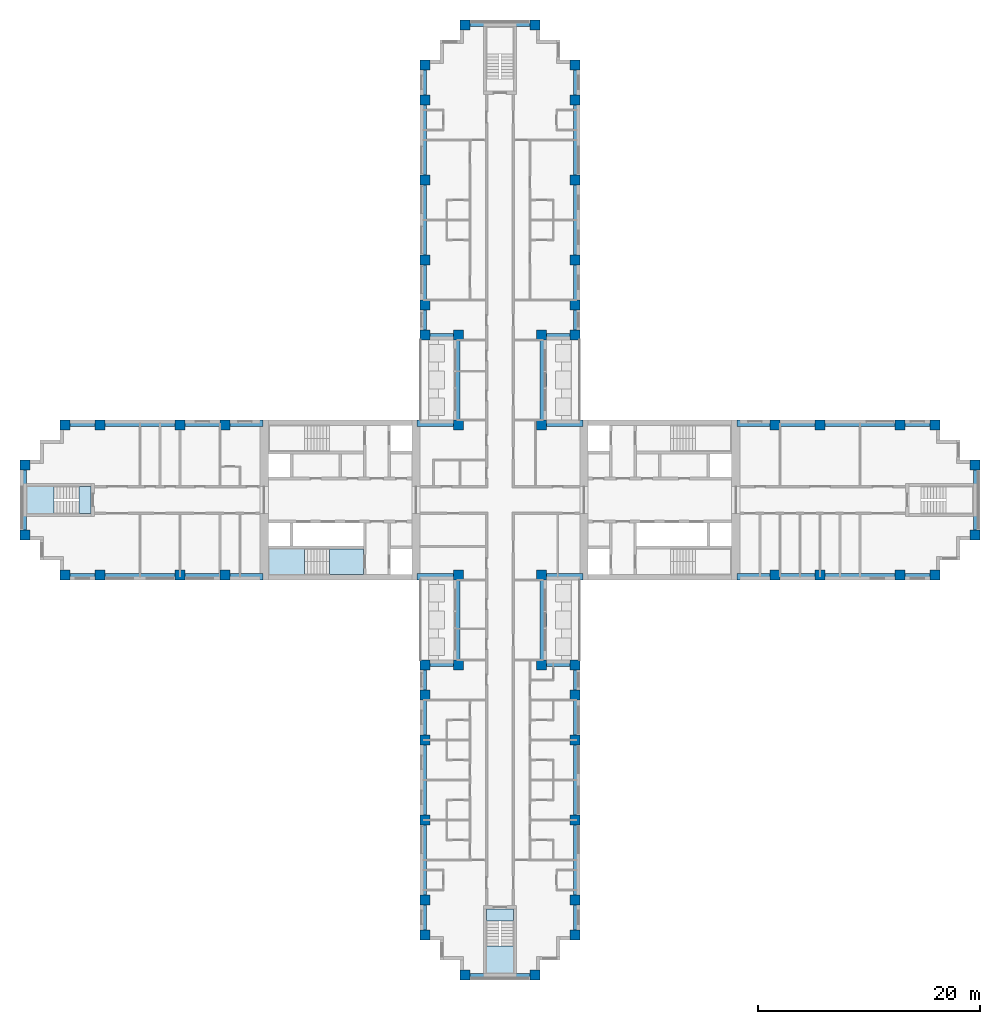
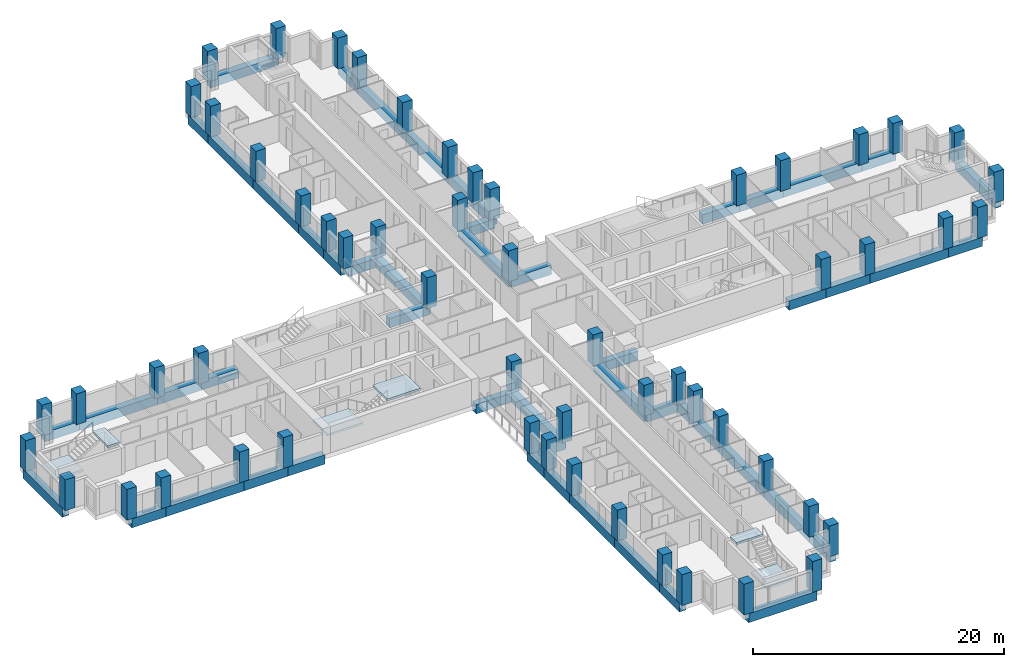
# One storey, part 1 of 16: 56 columns, 52 beams, 6 slabs, 3 elements without a shape of their own.
"""IFC4 building model written with IfcOpenShell, lengths in metres."""

import ifcopenshell
import ifcopenshell.guid

model = None  # the IFC model being written
_history = None  # IfcOwnerHistory: only IFC2X3 demands one
_inside = {}  # id of a spatial element -> (the spatial element, [elements in it])
_under = {}  # id of a project, library or spatial element -> (it, [spatial elements below it])
_declared = {}  # id of a project -> (the project, [libraries it declares])
_typed = {}  # id of a type object -> (the type object, [elements of that type])
_made_of = {}  # id of a material, layer set ... -> (it, [elements and type objects made of it])


def new_model(schema):
    """Start an empty IFC model of exactly this schema.

    Asked for "IFC4X3", IfcOpenShell would pick the latest addendum, in which some entities
    have other attributes; the version numbers below select the first issue.
    IFC2X3 requires an IfcOwnerHistory on every rooted entity: one is made here for all.
    """
    global model, _history
    if schema == "IFC4X3":
        model = ifcopenshell.file(schema_version=(4, 3, 0, 0))
    else:
        model = ifcopenshell.file(schema=schema)
    _inside.clear()
    _under.clear()
    _declared.clear()
    _typed.clear()
    _made_of.clear()
    _history = None
    if model.schema == "IFC2X3":
        org = make("IfcOrganization", Name="unknown")
        user = make(
            "IfcPersonAndOrganization",
            ThePerson=make("IfcPerson", FamilyName="unknown"),
            TheOrganization=org,
        )
        app = make(
            "IfcApplication",
            ApplicationDeveloper=org,
            Version="unknown",
            ApplicationFullName="unknown",
            ApplicationIdentifier="unknown",
        )
        _history = make(
            "IfcOwnerHistory",
            OwningUser=user,
            OwningApplication=app,
            ChangeAction="ADDED",
            CreationDate=0,
        )
    return model


def make(cls, **values):
    """One entity of the class cls with the attributes given. An attribute that is None is left unset."""
    return model.create_entity(
        cls, **{name: value for name, value in values.items() if value is not None}
    )


def rooted(cls, **values):
    """An entity with a GlobalId (a new one), such as an element, a storey or a relation."""
    return make(cls, GlobalId=ifcopenshell.guid.new(), OwnerHistory=_history, **values)


def si_unit(unit_type, name, prefix=None):
    """IfcSIUnit, for example si_unit("LENGTHUNIT", "METRE", prefix="MILLI")."""
    return make("IfcSIUnit", UnitType=unit_type, Prefix=prefix, Name=name)


def assignment(units):
    """IfcUnitAssignment: the units of a project."""
    return None if units is None else make("IfcUnitAssignment", Units=units)


def point(xyz):
    """IfcCartesianPoint."""
    return None if xyz is None else make("IfcCartesianPoint", Coordinates=xyz)


def direction(xyz):
    """IfcDirection."""
    return None if xyz is None else make("IfcDirection", DirectionRatios=xyz)


def frame(location, z_axis=None, x_axis=None):
    """IfcAxis2Placement3D, a coordinate frame: its origin and axes. An axis left out is left unset."""
    return make(
        "IfcAxis2Placement3D",
        Location=point(location),
        Axis=direction(z_axis),
        RefDirection=direction(x_axis),
    )


def frame_2d(location, x_axis=None):
    """IfcAxis2Placement2D, a coordinate frame in the plane: its origin and x axis."""
    return make(
        "IfcAxis2Placement2D", Location=point(location), RefDirection=direction(x_axis)
    )


def origin():
    """The frame at (0, 0, 0) with its axes left unset."""
    return frame((0.0, 0.0, 0.0))


def origin_2d():
    """The frame at (0, 0) in the plane with its x axis left unset."""
    return frame_2d((0.0, 0.0))


def place(relative_to, where):
    """IfcLocalPlacement: puts the frame where relative to a parent placement (None: the world)."""
    return make(
        "IfcLocalPlacement", PlacementRelTo=relative_to, RelativePlacement=where
    )


def context(
    kind, dimensions, precision=None, world=None, true_north=None, identifier=None
):
    """IfcGeometricRepresentationContext, for example the 3D "Model" context."""
    return make(
        "IfcGeometricRepresentationContext",
        ContextIdentifier=identifier,
        ContextType=kind,
        CoordinateSpaceDimension=dimensions,
        Precision=precision,
        WorldCoordinateSystem=world,
        TrueNorth=true_north,
    )


def subcontext(parent, identifier, kind, view, scale=None):
    """IfcGeometricRepresentationSubContext, for example "Body" below "Model"."""
    return make(
        "IfcGeometricRepresentationSubContext",
        ContextIdentifier=identifier,
        ContextType=kind,
        ParentContext=parent,
        TargetScale=scale,
        TargetView=view,
    )


def project(units=None, contexts=None):
    """IfcProject with its units and contexts."""
    return rooted(
        "IfcProject",
        Name="project",
        RepresentationContexts=contexts,
        UnitsInContext=assignment(units),
    )


def spatial(cls, under=None, at=None, **own):
    """A site, building, storey or space (cls), placed at a placement, below another one or the project."""
    s = rooted(cls, ObjectPlacement=at, **own)
    if under is not None:
        _under.setdefault(under.id(), (under, []))[1].append(s)
    return s


def polyline(points):
    """IfcPolyline through the points."""
    return make("IfcPolyline", Points=[point(p) for p in points])


def profile(cls, at=None, kind="AREA", **sizes):
    """A parametric profile (cls). Its sizes go by their IFC names, for example OverallWidth=200.0."""
    return make(cls, ProfileType=kind, Position=at, **sizes)


def rectangle(**sizes):
    """IfcRectangleProfileDef."""
    return profile("IfcRectangleProfileDef", **sizes)


def outline(outer, holes=None, kind="AREA"):
    """IfcArbitraryClosedProfileDef: a profile drawn as a closed curve; with holes, ...WithVoids."""
    if holes is None:
        return make("IfcArbitraryClosedProfileDef", ProfileType=kind, OuterCurve=outer)
    return make(
        "IfcArbitraryProfileDefWithVoids",
        ProfileType=kind,
        OuterCurve=outer,
        InnerCurves=holes,
    )


def extrude(swept, where, along, depth):
    """IfcExtrudedAreaSolid: the profile swept, set in the frame where, extruded along a direction by depth."""
    return make(
        "IfcExtrudedAreaSolid",
        SweptArea=swept,
        Position=where,
        ExtrudedDirection=direction(along),
        Depth=depth,
    )


def shape(context_of_items, identifier, shape_type, items):
    """IfcShapeRepresentation: the items that make up one representation, for example the "Body"."""
    return make(
        "IfcShapeRepresentation",
        ContextOfItems=context_of_items,
        RepresentationIdentifier=identifier,
        RepresentationType=shape_type,
        Items=items,
    )


def material(Name=None, Category=None):
    """IfcMaterial."""
    return make("IfcMaterial", Name=Name, Category=Category)


def layer(
    of_material, thickness, ventilated=None, Name=None, Category=None, Priority=None
):
    """IfcMaterialLayer: one layer of a wall or slab, of a material (None: an air gap)."""
    return make(
        "IfcMaterialLayer",
        Material=of_material,
        LayerThickness=thickness,
        IsVentilated=ventilated,
        Name=Name,
        Category=Category,
        Priority=Priority,
    )


def layer_set(layers, Name=None):
    """IfcMaterialLayerSet."""
    return make("IfcMaterialLayerSet", MaterialLayers=layers, LayerSetName=Name)


def material_profile(
    of_material, cross_section, Name=None, Category=None, Priority=None
):
    """IfcMaterialProfile: a cross section and its material."""
    return make(
        "IfcMaterialProfile",
        Name=Name,
        Material=of_material,
        Profile=cross_section,
        Priority=Priority,
        Category=Category,
    )


def profile_set(profiles, Name=None, composite=None):
    """IfcMaterialProfileSet."""
    return make(
        "IfcMaterialProfileSet",
        Name=Name,
        MaterialProfiles=profiles,
        CompositeProfile=composite,
    )


def made_of(thing, what):
    """Note that an element or type object is made of a material, layer set ...; save() writes the relation."""
    if what is not None:
        _made_of.setdefault(what.id(), (what, []))[1].append(thing)
    return thing


def type_object(cls, material=None, **own):
    """A type object (cls), such as IfcWallType, which elements share."""
    return made_of(rooted(cls, **own), material)


def element(
    cls,
    number,
    at=None,
    inside=None,
    cuts=None,
    type_object=None,
    material=None,
    context=None,
    identifier="Body",
    shape_type=None,
    held_by="IfcProductDefinitionShape",
    body=None,
    shapes=None,
    **own,
):
    """One element of the class cls, such as IfcWall. Its Tag is "e" and its number.

    at: its placement. inside: the storey or other place that contains it. cuts: it is an
    opening in that element (IfcRelVoidsElement). A single representation is given by context,
    identifier, shape_type and body (its items); several are given by shapes. held_by: the class
    of the entity that holds the representations. save() writes the other relations.
    """
    e = rooted(cls, Tag="e%d" % number, ObjectPlacement=at, **own)
    if body is not None:
        shapes = [shape(context, identifier, shape_type, body)]
    if shapes is not None:
        e.Representation = make(held_by, Representations=shapes)
    if inside is not None:
        _inside.setdefault(inside.id(), (inside, []))[1].append(e)
    if cuts is not None:
        rooted(
            "IfcRelVoidsElement", RelatingBuildingElement=cuts, RelatedOpeningElement=e
        )
    if type_object is not None:
        _typed.setdefault(type_object.id(), (type_object, []))[1].append(e)
    return made_of(e, material)


def aggregate(whole, parts):
    """IfcRelAggregates: a whole, such as a stair, and the parts it consists of."""
    return rooted("IfcRelAggregates", RelatingObject=whole, RelatedObjects=parts)


def save(model, path):
    """Write the relations noted so far, then the file.

    IfcRelAggregates (storeys below a building ...), IfcRelContainedInSpatialStructure (elements
    in a storey), IfcRelDefinesByType, IfcRelAssociatesMaterial and IfcRelDeclares: one each for
    every whole, place, type object, material and project.
    """
    for whole, parts in _under.values():
        aggregate(whole, parts)
    for where, things in _inside.values():
        rooted(
            "IfcRelContainedInSpatialStructure",
            RelatedElements=things,
            RelatingStructure=where,
        )
    for kind, things in _typed.values():
        rooted("IfcRelDefinesByType", RelatedObjects=things, RelatingType=kind)
    for what, things in _made_of.values():
        rooted("IfcRelAssociatesMaterial", RelatedObjects=things, RelatingMaterial=what)
    for by, libraries in _declared.values():
        rooted("IfcRelDeclares", RelatingContext=by, RelatedDefinitions=libraries)
    model.write(path)


model = new_model("IFC4")

# Units and contexts
model_context = context("Model", 3, precision=1e-05, world=origin(), true_north=direction((0.0, 1.0)))
body_context = subcontext(model_context, "Body", "Model", "MODEL_VIEW")
ifc_project = project(units=[si_unit("LENGTHUNIT", "METRE"), si_unit("AREAUNIT", "SQUARE_METRE"), si_unit("VOLUMEUNIT", "CUBIC_METRE"), si_unit("PLANEANGLEUNIT", "RADIAN"), si_unit("MASSUNIT", "GRAM", prefix="KILO")], contexts=[model_context])

# Site, building, storey
site_placement = place(None, origin())
site = spatial("IfcSite", under=ifc_project, at=site_placement, CompositionType="ELEMENT")
building_placement = place(site_placement, origin())
building = spatial("IfcBuilding", under=site, at=building_placement, Name="Fustian Cross Tower", CompositionType="ELEMENT")
storey_placement = place(building_placement, frame((0.0, 0.0, 26.699951171875)))
storey = spatial("IfcBuildingStorey", under=building, at=storey_placement, Name="L07", CompositionType="ELEMENT", Elevation=26.699951171875)

# Columns
ifc_material_1 = material(Name="Concrete C70/85", Category="concrete")
ifc_material_profile_1 = material_profile(ifc_material_1, rectangle(XDim=0.89990234375, YDim=0.89990234375, at=origin_2d()), Name="RC 900x900")
ifc_profile_set_1 = profile_set([ifc_material_profile_1], Name="Concrete C70/85")
column_type = type_object("IfcColumnType", Name="COLUMN RC 900x900 C70/85", PredefinedType="COLUMN", material=ifc_profile_set_1)
for number, where, z_axis, x_axis, name in (
    (1, (-42.75, -3.14990234375, 0.0), (0.0, 0.0, 1.0), (1.0, 0.0, 0.0), "COLUMN 001"),
    (2, (-42.75, 3.14990234375, 0.0), (0.0, 0.0, 1.0), (1.0, 0.0, 0.0), "COLUMN 002"),
    (3, (-39.14990234375, -6.75, 0.0), (0.0, 0.0, 1.0), (1.0, 0.0, 0.0), "COLUMN 003"),
    (4, (-39.14990234375, 6.75, 0.0), (0.0, 0.0, 1.0), (1.0, 0.0, 0.0), "COLUMN 004"),
    (5, (-36.0, -6.75, 0.0), (0.0, 0.0, 1.0), (1.0, 0.0, 0.0), "COLUMN 005"),
    (6, (-36.0, 6.75, 0.0), (0.0, 0.0, 1.0), (1.0, 0.0, 0.0), "COLUMN 006"),
    (7, (-28.800048828125, -6.75, 0.0), (0.0, 0.0, 1.0), (1.0, 0.0, 0.0), "COLUMN 007"),
    (8, (-28.800048828125, 6.75, 0.0), (0.0, 0.0, 1.0), (1.0, 0.0, 0.0), "COLUMN 010"),
    (9, (-24.75, -6.75, 0.0), (0.0, 0.0, 1.0), (1.0, 0.0, 0.0), "COLUMN 011"),
    (10, (-24.75, 6.75, 0.0), (0.0, 0.0, 1.0), (1.0, 0.0, 0.0), "COLUMN 012"),
    (11, (-6.75, -39.14990234375, 0.0), (0.0, 0.0, 1.0), (1.0, 0.0, 0.0), "COLUMN 013"),
    (12, (-6.75, -36.0, 0.0), (0.0, 0.0, 1.0), (1.0, 0.0, 0.0), "COLUMN 014"),
    (13, (-6.75, -28.800048828125, 0.0), (0.0, 0.0, 1.0), (1.0, 0.0, 0.0), "COLUMN 015"),
    (14, (-6.75, -21.60009765625, 0.0), (0.0, 0.0, 1.0), (1.0, 0.0, 0.0), "COLUMN 016"),
    (15, (-6.75, -17.550048828125, 0.0), (0.0, 0.0, 1.0), (1.0, 0.0, 0.0), "COLUMN 017"),
    (16, (-6.75, -14.85009765625, 0.0), (0.0, 0.0, 1.0), (1.0, 0.0, 0.0), "COLUMN 018"),
    (17, (-6.75, 14.85009765625, 0.0), (0.0, 0.0, 1.0), (1.0, 0.0, 0.0), "COLUMN 019"),
    (18, (-6.75, 17.550048828125, 0.0), (0.0, 0.0, 1.0), (1.0, 0.0, 0.0), "COLUMN 020"),
    (19, (-6.75, 21.60009765625, 0.0), (0.0, 0.0, 1.0), (1.0, 0.0, 0.0), "COLUMN 021"),
    (20, (-6.75, 28.800048828125, 0.0), (0.0, 0.0, 1.0), (1.0, 0.0, 0.0), "COLUMN 022"),
    (21, (-6.75, 36.0, 0.0), (0.0, 0.0, 1.0), (1.0, 0.0, 0.0), "COLUMN 023"),
    (22, (-6.75, 39.14990234375, 0.0), (0.0, 0.0, 1.0), (1.0, 0.0, 0.0), "COLUMN 024"),
    (23, (-3.75, -14.85009765625, 0.0), (0.0, 0.0, 1.0), (1.0, 0.0, 0.0), "COLUMN 025"),
    (24, (-3.75, -6.75, 0.0), (0.0, 0.0, 1.0), (1.0, 0.0, 0.0), "COLUMN 026"),
    (25, (-3.75, 6.75, 0.0), (0.0, 0.0, 1.0), (1.0, 0.0, 0.0), "COLUMN 027"),
    (26, (-3.75, 14.85009765625, 0.0), (0.0, 0.0, 1.0), (1.0, 0.0, 0.0), "COLUMN 028"),
    (27, (-3.14990234375, -42.75, 0.0), (0.0, 0.0, 1.0), (1.0, 0.0, 0.0), "COLUMN 029"),
    (28, (-3.14990234375, 42.75, 0.0), (0.0, 0.0, 1.0), (1.0, 0.0, 0.0), "COLUMN 032"),
    (29, (3.14990234375, -42.75, 0.0), (0.0, 0.0, 1.0), (1.0, 0.0, 0.0), "COLUMN 033"),
    (30, (3.14990234375, 42.75, 0.0), (0.0, 0.0, 1.0), (1.0, 0.0, 0.0), "COLUMN 036"),
    (31, (3.75, -14.85009765625, 0.0), (0.0, 0.0, 1.0), (1.0, 0.0, 0.0), "COLUMN 037"),
    (32, (3.75, -6.75, 0.0), (0.0, 0.0, 1.0), (1.0, 0.0, 0.0), "COLUMN 038"),
    (33, (3.75, 6.75, 0.0), (0.0, 0.0, 1.0), (1.0, 0.0, 0.0), "COLUMN 039"),
    (34, (3.75, 14.85009765625, 0.0), (0.0, 0.0, 1.0), (1.0, 0.0, 0.0), "COLUMN 040"),
    (35, (6.75, -39.14990234375, 0.0), (0.0, 0.0, 1.0), (1.0, 0.0, 0.0), "COLUMN 041"),
    (36, (6.75, -36.0, 0.0), (0.0, 0.0, 1.0), (1.0, 0.0, 0.0), "COLUMN 042"),
    (37, (6.75, -28.800048828125, 0.0), (0.0, 0.0, 1.0), (1.0, 0.0, 0.0), "COLUMN 043"),
    (38, (6.75, -21.60009765625, 0.0), (0.0, 0.0, 1.0), (1.0, 0.0, 0.0), "COLUMN 044"),
    (39, (6.75, -17.550048828125, 0.0), (0.0, 0.0, 1.0), (1.0, 0.0, 0.0), "COLUMN 045"),
    (40, (6.75, -14.85009765625, 0.0), (0.0, 0.0, 1.0), (1.0, 0.0, 0.0), "COLUMN 046"),
    (41, (6.75, 14.85009765625, 0.0), (0.0, 0.0, 1.0), (1.0, 0.0, 0.0), "COLUMN 047"),
    (42, (6.75, 17.550048828125, 0.0), (0.0, 0.0, 1.0), (1.0, 0.0, 0.0), "COLUMN 048"),
    (43, (6.75, 21.60009765625, 0.0), (0.0, 0.0, 1.0), (1.0, 0.0, 0.0), "COLUMN 049"),
    (44, (6.75, 28.800048828125, 0.0), (0.0, 0.0, 1.0), (1.0, 0.0, 0.0), "COLUMN 050"),
    (45, (6.75, 36.0, 0.0), (0.0, 0.0, 1.0), (1.0, 0.0, 0.0), "COLUMN 051"),
    (46, (6.75, 39.14990234375, 0.0), (0.0, 0.0, 1.0), (1.0, 0.0, 0.0), "COLUMN 052"),
    (47, (24.75, -6.75, 0.0), (0.0, 0.0, 1.0), (1.0, 0.0, 0.0), "COLUMN 053"),
    (48, (24.75, 6.75, 0.0), (0.0, 0.0, 1.0), (1.0, 0.0, 0.0), "COLUMN 054"),
    (49, (28.800048828125, -6.75, 0.0), (0.0, 0.0, 1.0), (1.0, 0.0, 0.0), "COLUMN 055"),
    (50, (28.800048828125, 6.75, 0.0), (0.0, 0.0, 1.0), (1.0, 0.0, 0.0), "COLUMN 058"),
    (51, (36.0, -6.75, 0.0), (0.0, 0.0, 1.0), (1.0, 0.0, 0.0), "COLUMN 059"),
    (52, (36.0, 6.75, 0.0), (0.0, 0.0, 1.0), (1.0, 0.0, 0.0), "COLUMN 060"),
    (53, (39.14990234375, -6.75, 0.0), (0.0, 0.0, 1.0), (1.0, 0.0, 0.0), "COLUMN 061"),
    (54, (39.14990234375, 6.75, 0.0), (0.0, 0.0, 1.0), (1.0, 0.0, 0.0), "COLUMN 062"),
    (55, (42.75, -3.14990234375, 0.0), (0.0, 0.0, 1.0), (1.0, 0.0, 0.0), "COLUMN 063"),
    (56, (42.75, 3.14990234375, 0.0), (0.0, 0.0, 1.0), (1.0, 0.0, 0.0), "COLUMN 064"),
):
    element("IfcColumn", number, at=place(storey_placement, frame(where, z_axis=z_axis, x_axis=x_axis)), inside=storey, type_object=column_type, Name=name, PredefinedType="COLUMN", context=body_context, shape_type="SweptSolid", body=[
        extrude(rectangle(XDim=0.89990234375, YDim=0.89990234375, at=origin_2d()), origin(), (0.0, 0.0, 1.0), 3.0),
    ])

# Beams
ifc_material_2 = material(Name="Concrete C50/60", Category="concrete")
ifc_material_profile_2 = material_profile(ifc_material_2, rectangle(XDim=0.60009765625, YDim=0.89990234375, at=origin_2d()), Name="RC 600x900")
ifc_profile_set_2 = profile_set([ifc_material_profile_2], Name="Concrete C50/60")
beam_type = type_object("IfcBeamType", Name="EDGE BEAM RC 600x900 C50/60", PredefinedType="SPANDREL", material=ifc_profile_set_2)
beam_1_placement = place(storey_placement, frame((21.35009765625, -6.89990234375, -0.449951171875), z_axis=(1.0, 0.0, 0.0), x_axis=(0.0, 1.0, 0.0)))
element("IfcBeam", 57, at=beam_1_placement, inside=storey, type_object=beam_type, Name="EDGE BEAM L07-01", PredefinedType="SPANDREL", context=body_context, shape_type="SweptSolid", body=[
    extrude(rectangle(XDim=0.60009765625, YDim=0.89990234375, at=origin_2d()), origin(), (0.0, 0.0, 1.0), 3.39990234375),
])
beam_2_placement = place(storey_placement, frame((24.75, -6.89990234375, -0.449951171875), z_axis=(1.0, 0.0, 0.0), x_axis=(0.0, 1.0, 0.0)))
element("IfcBeam", 58, at=beam_2_placement, inside=storey, type_object=beam_type, Name="EDGE BEAM L07-02", PredefinedType="SPANDREL", context=body_context, shape_type="SweptSolid", body=[
    extrude(rectangle(XDim=0.60009765625, YDim=0.89990234375, at=origin_2d()), origin(), (0.0, 0.0, 1.0), 4.050048828125),
])
beam_3_placement = place(storey_placement, frame((28.800048828125, -6.89990234375, -0.449951171875), z_axis=(1.0, 0.0, 0.0), x_axis=(0.0, 1.0, 0.0)))
element("IfcBeam", 59, at=beam_3_placement, inside=storey, type_object=beam_type, Name="EDGE BEAM L07-03", PredefinedType="SPANDREL", context=body_context, shape_type="SweptSolid", body=[
    extrude(rectangle(XDim=0.60009765625, YDim=0.89990234375, at=origin_2d()), origin(), (0.0, 0.0, 1.0), 7.199951171875),
])
beam_4_placement = place(storey_placement, frame((36.0, -6.89990234375, -0.449951171875), z_axis=(1.0, 0.0, 0.0), x_axis=(0.0, 1.0, 0.0)))
element("IfcBeam", 60, at=beam_4_placement, inside=storey, type_object=beam_type, Name="EDGE BEAM L07-04", PredefinedType="SPANDREL", context=body_context, shape_type="SweptSolid", body=[
    extrude(rectangle(XDim=0.60009765625, YDim=0.89990234375, at=origin_2d()), origin(), (0.0, 0.0, 1.0), 3.14990234375),
])
beam_5_placement = place(storey_placement, frame((42.89990234375, -3.14990234375, -0.449951171875), z_axis=(0.0, 1.0, 0.0), x_axis=(-1.0, 0.0, 0.0)))
element("IfcBeam", 61, at=beam_5_placement, inside=storey, type_object=beam_type, Name="EDGE BEAM L07-05", PredefinedType="SPANDREL", context=body_context, shape_type="SweptSolid", body=[
    extrude(rectangle(XDim=0.60009765625, YDim=0.89990234375, at=origin_2d()), origin(), (0.0, 0.0, 1.0), 6.2998046875),
])
beam_6_placement = place(storey_placement, frame((39.14990234375, 6.89990234375, -0.449951171875), z_axis=(-1.0, 0.0, 0.0), x_axis=(0.0, -1.0, 0.0)))
element("IfcBeam", 62, at=beam_6_placement, inside=storey, type_object=beam_type, Name="EDGE BEAM L07-06", PredefinedType="SPANDREL", context=body_context, shape_type="SweptSolid", body=[
    extrude(rectangle(XDim=0.60009765625, YDim=0.89990234375, at=origin_2d()), origin(), (0.0, 0.0, 1.0), 3.14990234375),
])
beam_7_placement = place(storey_placement, frame((36.0, 6.89990234375, -0.449951171875), z_axis=(-1.0, 0.0, 0.0), x_axis=(0.0, -1.0, 0.0)))
element("IfcBeam", 63, at=beam_7_placement, inside=storey, type_object=beam_type, Name="EDGE BEAM L07-07", PredefinedType="SPANDREL", context=body_context, shape_type="SweptSolid", body=[
    extrude(rectangle(XDim=0.60009765625, YDim=0.89990234375, at=origin_2d()), origin(), (0.0, 0.0, 1.0), 7.199951171875),
])
beam_8_placement = place(storey_placement, frame((28.800048828125, 6.89990234375, -0.449951171875), z_axis=(-1.0, 0.0, 0.0), x_axis=(0.0, -1.0, 0.0)))
element("IfcBeam", 64, at=beam_8_placement, inside=storey, type_object=beam_type, Name="EDGE BEAM L07-08", PredefinedType="SPANDREL", context=body_context, shape_type="SweptSolid", body=[
    extrude(rectangle(XDim=0.60009765625, YDim=0.89990234375, at=origin_2d()), origin(), (0.0, 0.0, 1.0), 4.050048828125),
])
beam_9_placement = place(storey_placement, frame((24.75, 6.89990234375, -0.449951171875), z_axis=(-1.0, 0.0, 0.0), x_axis=(0.0, -1.0, 0.0)))
element("IfcBeam", 65, at=beam_9_placement, inside=storey, type_object=beam_type, Name="EDGE BEAM L07-09", PredefinedType="SPANDREL", context=body_context, shape_type="SweptSolid", body=[
    extrude(rectangle(XDim=0.60009765625, YDim=0.89990234375, at=origin_2d()), origin(), (0.0, 0.0, 1.0), 3.39990234375),
])
beam_10_placement = place(storey_placement, frame((7.449951171875, 6.89990234375, -0.449951171875), z_axis=(-1.0, 0.0, 0.0), x_axis=(0.0, -1.0, 0.0)))
element("IfcBeam", 66, at=beam_10_placement, inside=storey, type_object=beam_type, Name="EDGE BEAM L07-10", PredefinedType="SPANDREL", context=body_context, shape_type="SweptSolid", body=[
    extrude(rectangle(XDim=0.60009765625, YDim=0.89990234375, at=origin_2d()), origin(), (0.0, 0.0, 1.0), 3.699951171875),
])
beam_11_placement = place(storey_placement, frame((3.89990234375, 6.75, -0.449951171875), z_axis=(0.0, 1.0, 0.0), x_axis=(-1.0, 0.0, 0.0)))
element("IfcBeam", 67, at=beam_11_placement, inside=storey, type_object=beam_type, Name="EDGE BEAM L07-11", PredefinedType="SPANDREL", context=body_context, shape_type="SweptSolid", body=[
    extrude(rectangle(XDim=0.60009765625, YDim=0.89990234375, at=origin_2d()), origin(), (0.0, 0.0, 1.0), 8.10009765625),
])
beam_12_placement = place(storey_placement, frame((3.75, 14.699951171875, -0.449951171875), z_axis=(1.0, 0.0, 0.0), x_axis=(0.0, 1.0, 0.0)))
element("IfcBeam", 68, at=beam_12_placement, inside=storey, type_object=beam_type, Name="EDGE BEAM L07-12", PredefinedType="SPANDREL", context=body_context, shape_type="SweptSolid", body=[
    extrude(rectangle(XDim=0.60009765625, YDim=0.89990234375, at=origin_2d()), origin(), (0.0, 0.0, 1.0), 3.0),
])
beam_13_placement = place(storey_placement, frame((6.89990234375, 14.85009765625, -0.449951171875), z_axis=(0.0, 1.0, 0.0), x_axis=(-1.0, 0.0, 0.0)))
element("IfcBeam", 69, at=beam_13_placement, inside=storey, type_object=beam_type, Name="EDGE BEAM L07-13", PredefinedType="SPANDREL", context=body_context, shape_type="SweptSolid", body=[
    extrude(rectangle(XDim=0.60009765625, YDim=0.89990234375, at=origin_2d()), origin(), (0.0, 0.0, 1.0), 2.699951171875),
])
beam_14_placement = place(storey_placement, frame((6.89990234375, 17.550048828125, -0.449951171875), z_axis=(0.0, 1.0, 0.0), x_axis=(-1.0, 0.0, 0.0)))
element("IfcBeam", 70, at=beam_14_placement, inside=storey, type_object=beam_type, Name="EDGE BEAM L07-14", PredefinedType="SPANDREL", context=body_context, shape_type="SweptSolid", body=[
    extrude(rectangle(XDim=0.60009765625, YDim=0.89990234375, at=origin_2d()), origin(), (0.0, 0.0, 1.0), 4.050048828125),
])
for number, where, z_axis, x_axis, name in (
    (71, (6.89990234375, 21.60009765625, -0.449951171875), (0.0, 1.0, 0.0), (-1.0, 0.0, 0.0), "EDGE BEAM L07-15"),
    (72, (6.89990234375, 28.800048828125, -0.449951171875), (0.0, 1.0, 0.0), (-1.0, 0.0, 0.0), "EDGE BEAM L07-16"),
):
    element("IfcBeam", number, at=place(storey_placement, frame(where, z_axis=z_axis, x_axis=x_axis)), inside=storey, type_object=beam_type, Name=name, PredefinedType="SPANDREL", context=body_context, shape_type="SweptSolid", body=[
        extrude(rectangle(XDim=0.60009765625, YDim=0.89990234375, at=origin_2d()), origin(), (0.0, 0.0, 1.0), 7.199951171875),
    ])
beam_15_placement = place(storey_placement, frame((6.89990234375, 36.0, -0.449951171875), z_axis=(0.0, 1.0, 0.0), x_axis=(-1.0, 0.0, 0.0)))
element("IfcBeam", 73, at=beam_15_placement, inside=storey, type_object=beam_type, Name="EDGE BEAM L07-17", PredefinedType="SPANDREL", context=body_context, shape_type="SweptSolid", body=[
    extrude(rectangle(XDim=0.60009765625, YDim=0.89990234375, at=origin_2d()), origin(), (0.0, 0.0, 1.0), 3.14990234375),
])
beam_16_placement = place(storey_placement, frame((3.14990234375, 42.89990234375, -0.449951171875), z_axis=(-1.0, 0.0, 0.0), x_axis=(0.0, -1.0, 0.0)))
element("IfcBeam", 74, at=beam_16_placement, inside=storey, type_object=beam_type, Name="EDGE BEAM L07-18", PredefinedType="SPANDREL", context=body_context, shape_type="SweptSolid", body=[
    extrude(rectangle(XDim=0.60009765625, YDim=0.89990234375, at=origin_2d()), origin(), (0.0, 0.0, 1.0), 6.2998046875),
])
beam_17_placement = place(storey_placement, frame((-6.89990234375, 39.14990234375, -0.449951171875), z_axis=(0.0, -1.0, 0.0), x_axis=(1.0, 0.0, 0.0)))
element("IfcBeam", 75, at=beam_17_placement, inside=storey, type_object=beam_type, Name="EDGE BEAM L07-19", PredefinedType="SPANDREL", context=body_context, shape_type="SweptSolid", body=[
    extrude(rectangle(XDim=0.60009765625, YDim=0.89990234375, at=origin_2d()), origin(), (0.0, 0.0, 1.0), 3.14990234375),
])
for number, where, z_axis, x_axis, name in (
    (76, (-6.89990234375, 36.0, -0.449951171875), (0.0, -1.0, 0.0), (1.0, 0.0, 0.0), "EDGE BEAM L07-20"),
    (77, (-6.89990234375, 28.800048828125, -0.449951171875), (0.0, -1.0, 0.0), (1.0, 0.0, 0.0), "EDGE BEAM L07-21"),
):
    element("IfcBeam", number, at=place(storey_placement, frame(where, z_axis=z_axis, x_axis=x_axis)), inside=storey, type_object=beam_type, Name=name, PredefinedType="SPANDREL", context=body_context, shape_type="SweptSolid", body=[
        extrude(rectangle(XDim=0.60009765625, YDim=0.89990234375, at=origin_2d()), origin(), (0.0, 0.0, 1.0), 7.199951171875),
    ])
beam_18_placement = place(storey_placement, frame((-6.89990234375, 21.60009765625, -0.449951171875), z_axis=(0.0, -1.0, 0.0), x_axis=(1.0, 0.0, 0.0)))
element("IfcBeam", 78, at=beam_18_placement, inside=storey, type_object=beam_type, Name="EDGE BEAM L07-22", PredefinedType="SPANDREL", context=body_context, shape_type="SweptSolid", body=[
    extrude(rectangle(XDim=0.60009765625, YDim=0.89990234375, at=origin_2d()), origin(), (0.0, 0.0, 1.0), 4.050048828125),
])
beam_19_placement = place(storey_placement, frame((-6.89990234375, 17.550048828125, -0.449951171875), z_axis=(0.0, -1.0, 0.0), x_axis=(1.0, 0.0, 0.0)))
element("IfcBeam", 79, at=beam_19_placement, inside=storey, type_object=beam_type, Name="EDGE BEAM L07-23", PredefinedType="SPANDREL", context=body_context, shape_type="SweptSolid", body=[
    extrude(rectangle(XDim=0.60009765625, YDim=0.89990234375, at=origin_2d()), origin(), (0.0, 0.0, 1.0), 2.699951171875),
])
beam_20_placement = place(storey_placement, frame((-6.75, 14.699951171875, -0.449951171875), z_axis=(1.0, 0.0, 0.0), x_axis=(0.0, 1.0, 0.0)))
element("IfcBeam", 80, at=beam_20_placement, inside=storey, type_object=beam_type, Name="EDGE BEAM L07-24", PredefinedType="SPANDREL", context=body_context, shape_type="SweptSolid", body=[
    extrude(rectangle(XDim=0.60009765625, YDim=0.89990234375, at=origin_2d()), origin(), (0.0, 0.0, 1.0), 3.0),
])
beam_21_placement = place(storey_placement, frame((-3.89990234375, 14.85009765625, -0.449951171875), z_axis=(0.0, -1.0, 0.0), x_axis=(1.0, 0.0, 0.0)))
element("IfcBeam", 81, at=beam_21_placement, inside=storey, type_object=beam_type, Name="EDGE BEAM L07-25", PredefinedType="SPANDREL", context=body_context, shape_type="SweptSolid", body=[
    extrude(rectangle(XDim=0.60009765625, YDim=0.89990234375, at=origin_2d()), origin(), (0.0, 0.0, 1.0), 8.10009765625),
])
beam_22_placement = place(storey_placement, frame((-3.75, 6.89990234375, -0.449951171875), z_axis=(-1.0, 0.0, 0.0), x_axis=(0.0, -1.0, 0.0)))
element("IfcBeam", 82, at=beam_22_placement, inside=storey, type_object=beam_type, Name="EDGE BEAM L07-26", PredefinedType="SPANDREL", context=body_context, shape_type="SweptSolid", body=[
    extrude(rectangle(XDim=0.60009765625, YDim=0.89990234375, at=origin_2d()), origin(), (0.0, 0.0, 1.0), 3.699951171875),
])
beam_23_placement = place(storey_placement, frame((-21.35009765625, 6.89990234375, -0.449951171875), z_axis=(-1.0, 0.0, 0.0), x_axis=(0.0, -1.0, 0.0)))
element("IfcBeam", 83, at=beam_23_placement, inside=storey, type_object=beam_type, Name="EDGE BEAM L07-27", PredefinedType="SPANDREL", context=body_context, shape_type="SweptSolid", body=[
    extrude(rectangle(XDim=0.60009765625, YDim=0.89990234375, at=origin_2d()), origin(), (0.0, 0.0, 1.0), 3.39990234375),
])
beam_24_placement = place(storey_placement, frame((-24.75, 6.89990234375, -0.449951171875), z_axis=(-1.0, 0.0, 0.0), x_axis=(0.0, -1.0, 0.0)))
element("IfcBeam", 84, at=beam_24_placement, inside=storey, type_object=beam_type, Name="EDGE BEAM L07-28", PredefinedType="SPANDREL", context=body_context, shape_type="SweptSolid", body=[
    extrude(rectangle(XDim=0.60009765625, YDim=0.89990234375, at=origin_2d()), origin(), (0.0, 0.0, 1.0), 4.050048828125),
])
beam_25_placement = place(storey_placement, frame((-28.800048828125, 6.89990234375, -0.449951171875), z_axis=(-1.0, 0.0, 0.0), x_axis=(0.0, -1.0, 0.0)))
element("IfcBeam", 85, at=beam_25_placement, inside=storey, type_object=beam_type, Name="EDGE BEAM L07-29", PredefinedType="SPANDREL", context=body_context, shape_type="SweptSolid", body=[
    extrude(rectangle(XDim=0.60009765625, YDim=0.89990234375, at=origin_2d()), origin(), (0.0, 0.0, 1.0), 7.199951171875),
])
beam_26_placement = place(storey_placement, frame((-36.0, 6.89990234375, -0.449951171875), z_axis=(-1.0, 0.0, 0.0), x_axis=(0.0, -1.0, 0.0)))
element("IfcBeam", 86, at=beam_26_placement, inside=storey, type_object=beam_type, Name="EDGE BEAM L07-30", PredefinedType="SPANDREL", context=body_context, shape_type="SweptSolid", body=[
    extrude(rectangle(XDim=0.60009765625, YDim=0.89990234375, at=origin_2d()), origin(), (0.0, 0.0, 1.0), 3.14990234375),
])
beam_27_placement = place(storey_placement, frame((-42.89990234375, 3.14990234375, -0.449951171875), z_axis=(0.0, -1.0, 0.0), x_axis=(1.0, 0.0, 0.0)))
element("IfcBeam", 87, at=beam_27_placement, inside=storey, type_object=beam_type, Name="EDGE BEAM L07-31", PredefinedType="SPANDREL", context=body_context, shape_type="SweptSolid", body=[
    extrude(rectangle(XDim=0.60009765625, YDim=0.89990234375, at=origin_2d()), origin(), (0.0, 0.0, 1.0), 6.2998046875),
])
beam_28_placement = place(storey_placement, frame((-39.14990234375, -6.89990234375, -0.449951171875), z_axis=(1.0, 0.0, 0.0), x_axis=(0.0, 1.0, 0.0)))
element("IfcBeam", 88, at=beam_28_placement, inside=storey, type_object=beam_type, Name="EDGE BEAM L07-32", PredefinedType="SPANDREL", context=body_context, shape_type="SweptSolid", body=[
    extrude(rectangle(XDim=0.60009765625, YDim=0.89990234375, at=origin_2d()), origin(), (0.0, 0.0, 1.0), 3.14990234375),
])
beam_29_placement = place(storey_placement, frame((-36.0, -6.89990234375, -0.449951171875), z_axis=(1.0, 0.0, 0.0), x_axis=(0.0, 1.0, 0.0)))
element("IfcBeam", 89, at=beam_29_placement, inside=storey, type_object=beam_type, Name="EDGE BEAM L07-33", PredefinedType="SPANDREL", context=body_context, shape_type="SweptSolid", body=[
    extrude(rectangle(XDim=0.60009765625, YDim=0.89990234375, at=origin_2d()), origin(), (0.0, 0.0, 1.0), 7.199951171875),
])
beam_30_placement = place(storey_placement, frame((-28.800048828125, -6.89990234375, -0.449951171875), z_axis=(1.0, 0.0, 0.0), x_axis=(0.0, 1.0, 0.0)))
element("IfcBeam", 90, at=beam_30_placement, inside=storey, type_object=beam_type, Name="EDGE BEAM L07-34", PredefinedType="SPANDREL", context=body_context, shape_type="SweptSolid", body=[
    extrude(rectangle(XDim=0.60009765625, YDim=0.89990234375, at=origin_2d()), origin(), (0.0, 0.0, 1.0), 4.050048828125),
])
beam_31_placement = place(storey_placement, frame((-24.75, -6.89990234375, -0.449951171875), z_axis=(1.0, 0.0, 0.0), x_axis=(0.0, 1.0, 0.0)))
element("IfcBeam", 91, at=beam_31_placement, inside=storey, type_object=beam_type, Name="EDGE BEAM L07-35", PredefinedType="SPANDREL", context=body_context, shape_type="SweptSolid", body=[
    extrude(rectangle(XDim=0.60009765625, YDim=0.89990234375, at=origin_2d()), origin(), (0.0, 0.0, 1.0), 3.39990234375),
])
beam_32_placement = place(storey_placement, frame((-7.449951171875, -6.89990234375, -0.449951171875), z_axis=(1.0, 0.0, 0.0), x_axis=(0.0, 1.0, 0.0)))
element("IfcBeam", 92, at=beam_32_placement, inside=storey, type_object=beam_type, Name="EDGE BEAM L07-36", PredefinedType="SPANDREL", context=body_context, shape_type="SweptSolid", body=[
    extrude(rectangle(XDim=0.60009765625, YDim=0.89990234375, at=origin_2d()), origin(), (0.0, 0.0, 1.0), 3.699951171875),
])
beam_33_placement = place(storey_placement, frame((-3.89990234375, -6.75, -0.449951171875), z_axis=(0.0, -1.0, 0.0), x_axis=(1.0, 0.0, 0.0)))
element("IfcBeam", 93, at=beam_33_placement, inside=storey, type_object=beam_type, Name="EDGE BEAM L07-37", PredefinedType="SPANDREL", context=body_context, shape_type="SweptSolid", body=[
    extrude(rectangle(XDim=0.60009765625, YDim=0.89990234375, at=origin_2d()), origin(), (0.0, 0.0, 1.0), 8.10009765625),
])
beam_34_placement = place(storey_placement, frame((-3.75, -14.699951171875, -0.449951171875), z_axis=(-1.0, 0.0, 0.0), x_axis=(0.0, -1.0, 0.0)))
element("IfcBeam", 94, at=beam_34_placement, inside=storey, type_object=beam_type, Name="EDGE BEAM L07-38", PredefinedType="SPANDREL", context=body_context, shape_type="SweptSolid", body=[
    extrude(rectangle(XDim=0.60009765625, YDim=0.89990234375, at=origin_2d()), origin(), (0.0, 0.0, 1.0), 3.0),
])
beam_35_placement = place(storey_placement, frame((-6.89990234375, -14.85009765625, -0.449951171875), z_axis=(0.0, -1.0, 0.0), x_axis=(1.0, 0.0, 0.0)))
element("IfcBeam", 95, at=beam_35_placement, inside=storey, type_object=beam_type, Name="EDGE BEAM L07-39", PredefinedType="SPANDREL", context=body_context, shape_type="SweptSolid", body=[
    extrude(rectangle(XDim=0.60009765625, YDim=0.89990234375, at=origin_2d()), origin(), (0.0, 0.0, 1.0), 2.699951171875),
])
beam_36_placement = place(storey_placement, frame((-6.89990234375, -17.550048828125, -0.449951171875), z_axis=(0.0, -1.0, 0.0), x_axis=(1.0, 0.0, 0.0)))
element("IfcBeam", 96, at=beam_36_placement, inside=storey, type_object=beam_type, Name="EDGE BEAM L07-40", PredefinedType="SPANDREL", context=body_context, shape_type="SweptSolid", body=[
    extrude(rectangle(XDim=0.60009765625, YDim=0.89990234375, at=origin_2d()), origin(), (0.0, 0.0, 1.0), 4.050048828125),
])
for number, where, z_axis, x_axis, name in (
    (97, (-6.89990234375, -21.60009765625, -0.449951171875), (0.0, -1.0, 0.0), (1.0, 0.0, 0.0), "EDGE BEAM L07-41"),
    (98, (-6.89990234375, -28.800048828125, -0.449951171875), (0.0, -1.0, 0.0), (1.0, 0.0, 0.0), "EDGE BEAM L07-42"),
):
    element("IfcBeam", number, at=place(storey_placement, frame(where, z_axis=z_axis, x_axis=x_axis)), inside=storey, type_object=beam_type, Name=name, PredefinedType="SPANDREL", context=body_context, shape_type="SweptSolid", body=[
        extrude(rectangle(XDim=0.60009765625, YDim=0.89990234375, at=origin_2d()), origin(), (0.0, 0.0, 1.0), 7.199951171875),
    ])
beam_37_placement = place(storey_placement, frame((-6.89990234375, -36.0, -0.449951171875), z_axis=(0.0, -1.0, 0.0), x_axis=(1.0, 0.0, 0.0)))
element("IfcBeam", 99, at=beam_37_placement, inside=storey, type_object=beam_type, Name="EDGE BEAM L07-43", PredefinedType="SPANDREL", context=body_context, shape_type="SweptSolid", body=[
    extrude(rectangle(XDim=0.60009765625, YDim=0.89990234375, at=origin_2d()), origin(), (0.0, 0.0, 1.0), 3.14990234375),
])
beam_38_placement = place(storey_placement, frame((-3.14990234375, -42.89990234375, -0.449951171875), z_axis=(1.0, 0.0, 0.0), x_axis=(0.0, 1.0, 0.0)))
element("IfcBeam", 100, at=beam_38_placement, inside=storey, type_object=beam_type, Name="EDGE BEAM L07-44", PredefinedType="SPANDREL", context=body_context, shape_type="SweptSolid", body=[
    extrude(rectangle(XDim=0.60009765625, YDim=0.89990234375, at=origin_2d()), origin(), (0.0, 0.0, 1.0), 6.2998046875),
])
beam_39_placement = place(storey_placement, frame((6.89990234375, -39.14990234375, -0.449951171875), z_axis=(0.0, 1.0, 0.0), x_axis=(-1.0, 0.0, 0.0)))
element("IfcBeam", 101, at=beam_39_placement, inside=storey, type_object=beam_type, Name="EDGE BEAM L07-45", PredefinedType="SPANDREL", context=body_context, shape_type="SweptSolid", body=[
    extrude(rectangle(XDim=0.60009765625, YDim=0.89990234375, at=origin_2d()), origin(), (0.0, 0.0, 1.0), 3.14990234375),
])
for number, where, z_axis, x_axis, name in (
    (102, (6.89990234375, -36.0, -0.449951171875), (0.0, 1.0, 0.0), (-1.0, 0.0, 0.0), "EDGE BEAM L07-46"),
    (103, (6.89990234375, -28.800048828125, -0.449951171875), (0.0, 1.0, 0.0), (-1.0, 0.0, 0.0), "EDGE BEAM L07-47"),
):
    element("IfcBeam", number, at=place(storey_placement, frame(where, z_axis=z_axis, x_axis=x_axis)), inside=storey, type_object=beam_type, Name=name, PredefinedType="SPANDREL", context=body_context, shape_type="SweptSolid", body=[
        extrude(rectangle(XDim=0.60009765625, YDim=0.89990234375, at=origin_2d()), origin(), (0.0, 0.0, 1.0), 7.199951171875),
    ])
beam_40_placement = place(storey_placement, frame((6.89990234375, -21.60009765625, -0.449951171875), z_axis=(0.0, 1.0, 0.0), x_axis=(-1.0, 0.0, 0.0)))
element("IfcBeam", 104, at=beam_40_placement, inside=storey, type_object=beam_type, Name="EDGE BEAM L07-48", PredefinedType="SPANDREL", context=body_context, shape_type="SweptSolid", body=[
    extrude(rectangle(XDim=0.60009765625, YDim=0.89990234375, at=origin_2d()), origin(), (0.0, 0.0, 1.0), 4.050048828125),
])
beam_41_placement = place(storey_placement, frame((6.89990234375, -17.550048828125, -0.449951171875), z_axis=(0.0, 1.0, 0.0), x_axis=(-1.0, 0.0, 0.0)))
element("IfcBeam", 105, at=beam_41_placement, inside=storey, type_object=beam_type, Name="EDGE BEAM L07-49", PredefinedType="SPANDREL", context=body_context, shape_type="SweptSolid", body=[
    extrude(rectangle(XDim=0.60009765625, YDim=0.89990234375, at=origin_2d()), origin(), (0.0, 0.0, 1.0), 2.699951171875),
])
beam_42_placement = place(storey_placement, frame((6.75, -14.699951171875, -0.449951171875), z_axis=(-1.0, 0.0, 0.0), x_axis=(0.0, -1.0, 0.0)))
element("IfcBeam", 106, at=beam_42_placement, inside=storey, type_object=beam_type, Name="EDGE BEAM L07-50", PredefinedType="SPANDREL", context=body_context, shape_type="SweptSolid", body=[
    extrude(rectangle(XDim=0.60009765625, YDim=0.89990234375, at=origin_2d()), origin(), (0.0, 0.0, 1.0), 3.0),
])
beam_43_placement = place(storey_placement, frame((3.89990234375, -14.85009765625, -0.449951171875), z_axis=(0.0, 1.0, 0.0), x_axis=(-1.0, 0.0, 0.0)))
element("IfcBeam", 107, at=beam_43_placement, inside=storey, type_object=beam_type, Name="EDGE BEAM L07-51", PredefinedType="SPANDREL", context=body_context, shape_type="SweptSolid", body=[
    extrude(rectangle(XDim=0.60009765625, YDim=0.89990234375, at=origin_2d()), origin(), (0.0, 0.0, 1.0), 8.10009765625),
])
beam_44_placement = place(storey_placement, frame((3.75, -6.89990234375, -0.449951171875), z_axis=(1.0, 0.0, 0.0), x_axis=(0.0, 1.0, 0.0)))
element("IfcBeam", 108, at=beam_44_placement, inside=storey, type_object=beam_type, Name="EDGE BEAM L07-52", PredefinedType="SPANDREL", context=body_context, shape_type="SweptSolid", body=[
    extrude(rectangle(XDim=0.60009765625, YDim=0.89990234375, at=origin_2d()), origin(), (0.0, 0.0, 1.0), 3.699951171875),
])

# Stair, slabs
ifc_material_3 = material(Name="Concrete C50/60", Category="concrete")
stair_type_1 = type_object("IfcStairType", Name="STAIR 1150 HALF TURN", PredefinedType="HALF_TURN_STAIR", material=ifc_material_3)
stair_1_placement = place(storey_placement, origin())
stair_1 = element("IfcStair", 109, at=stair_1_placement, inside=storey, type_object=stair_type_1, Name="Stair ST4", PredefinedType="HALF_TURN_STAIR")
ifc_material_4 = material(Name="Concrete C50/60", Category="concrete")
ifc_layer = layer(ifc_material_4, 0.199951171875)
ifc_layer_set = layer_set([ifc_layer], Name="Concrete C50/60")
slab_type = type_object("IfcSlabType", Name="STAIR LANDING", PredefinedType="LANDING", material=ifc_layer_set)
slab_1_placement = place(storey_placement, frame((0.0, 0.0, 1.300048828125)))
slab_1 = element("IfcSlab", 110, at=slab_1_placement, type_object=slab_type, Name="ST4 landing 1", PredefinedType="LANDING", context=body_context, shape_type="SweptSolid", body=[
    extrude(outline(polyline([(-17.590087890625, -4.39990234375), (-20.85009765625, -4.39990234375), (-20.85009765625, -6.699951171875), (-17.590087890625, -6.699951171875), (-17.590087890625, -4.39990234375)])), origin(), (0.0, 0.0, 1.0), 0.199951171875),
])
slab_2_placement = place(storey_placement, frame((0.0, 0.0, 2.800048828125)))
slab_2 = element("IfcSlab", 111, at=slab_2_placement, type_object=slab_type, Name="ST4 landing 2", PredefinedType="LANDING", context=body_context, shape_type="SweptSolid", body=[
    extrude(outline(polyline([(-12.300048828125, -4.39990234375), (-15.35009765625, -4.39990234375), (-15.35009765625, -6.699951171875), (-12.300048828125, -6.699951171875), (-12.300048828125, -4.39990234375)])), origin(), (0.0, 0.0, 1.0), 0.199951171875),
])
aggregate(stair_1, [slab_1, slab_2])

ifc_material_5 = material(Name="Concrete C50/60", Category="concrete")
stair_type_2 = type_object("IfcStairType", Name="STAIR 1100 HALF TURN", PredefinedType="HALF_TURN_STAIR", material=ifc_material_5)
stair_2_placement = place(storey_placement, origin())
stair_2 = element("IfcStair", 112, at=stair_2_placement, inside=storey, type_object=stair_type_2, Name="Stair ST6", PredefinedType="HALF_TURN_STAIR")
slab_3_placement = place(storey_placement, frame((0.0, 0.0, 1.300048828125)))
slab_3 = element("IfcSlab", 113, at=slab_3_placement, type_object=slab_type, Name="ST6 landing 1", PredefinedType="LANDING", context=body_context, shape_type="SweptSolid", body=[
    extrude(outline(polyline([(-1.199951171875, -40.139892578125), (-1.199951171875, -42.60009765625), (1.199951171875, -42.60009765625), (1.199951171875, -40.139892578125), (-1.199951171875, -40.139892578125)])), origin(), (0.0, 0.0, 1.0), 0.199951171875),
])
slab_4_placement = place(storey_placement, frame((0.0, 0.0, 2.800048828125)))
slab_4 = element("IfcSlab", 114, at=slab_4_placement, type_object=slab_type, Name="ST6 landing 2", PredefinedType="LANDING", context=body_context, shape_type="SweptSolid", body=[
    extrude(outline(polyline([(-1.199951171875, -36.800048828125), (-1.199951171875, -37.89990234375), (1.199951171875, -37.89990234375), (1.199951171875, -36.800048828125), (-1.199951171875, -36.800048828125)])), origin(), (0.0, 0.0, 1.0), 0.199951171875),
])
aggregate(stair_2, [slab_3, slab_4])

stair_3_placement = place(storey_placement, origin())
stair_3 = element("IfcStair", 115, at=stair_3_placement, inside=storey, type_object=stair_type_2, Name="Stair ST9", PredefinedType="HALF_TURN_STAIR")
slab_5_placement = place(storey_placement, frame((0.0, 0.0, 1.300048828125)))
slab_5 = element("IfcSlab", 116, at=slab_5_placement, type_object=slab_type, Name="ST9 landing 1", PredefinedType="LANDING", context=body_context, shape_type="SweptSolid", body=[
    extrude(outline(polyline([(-40.139892578125, -1.199951171875), (-42.60009765625, -1.199951171875), (-42.60009765625, 1.199951171875), (-40.139892578125, 1.199951171875), (-40.139892578125, -1.199951171875)])), origin(), (0.0, 0.0, 1.0), 0.199951171875),
])
slab_6_placement = place(storey_placement, frame((0.0, 0.0, 2.800048828125)))
slab_6 = element("IfcSlab", 117, at=slab_6_placement, type_object=slab_type, Name="ST9 landing 2", PredefinedType="LANDING", context=body_context, shape_type="SweptSolid", body=[
    extrude(outline(polyline([(-36.800048828125, -1.199951171875), (-37.89990234375, -1.199951171875), (-37.89990234375, 1.199951171875), (-36.800048828125, 1.199951171875), (-36.800048828125, -1.199951171875)])), origin(), (0.0, 0.0, 1.0), 0.199951171875),
])
aggregate(stair_3, [slab_5, slab_6])

save(model, "model.ifc")
